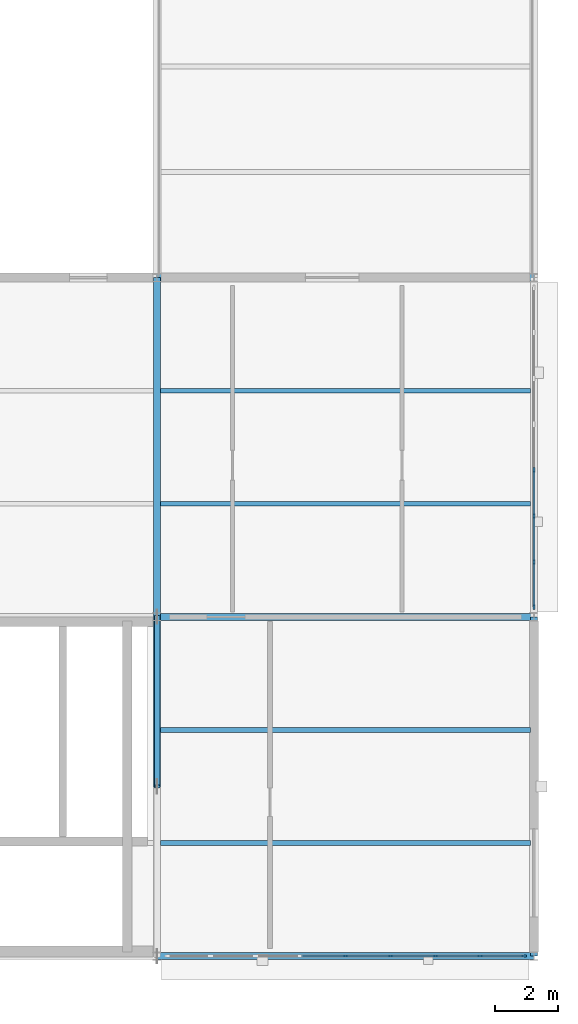
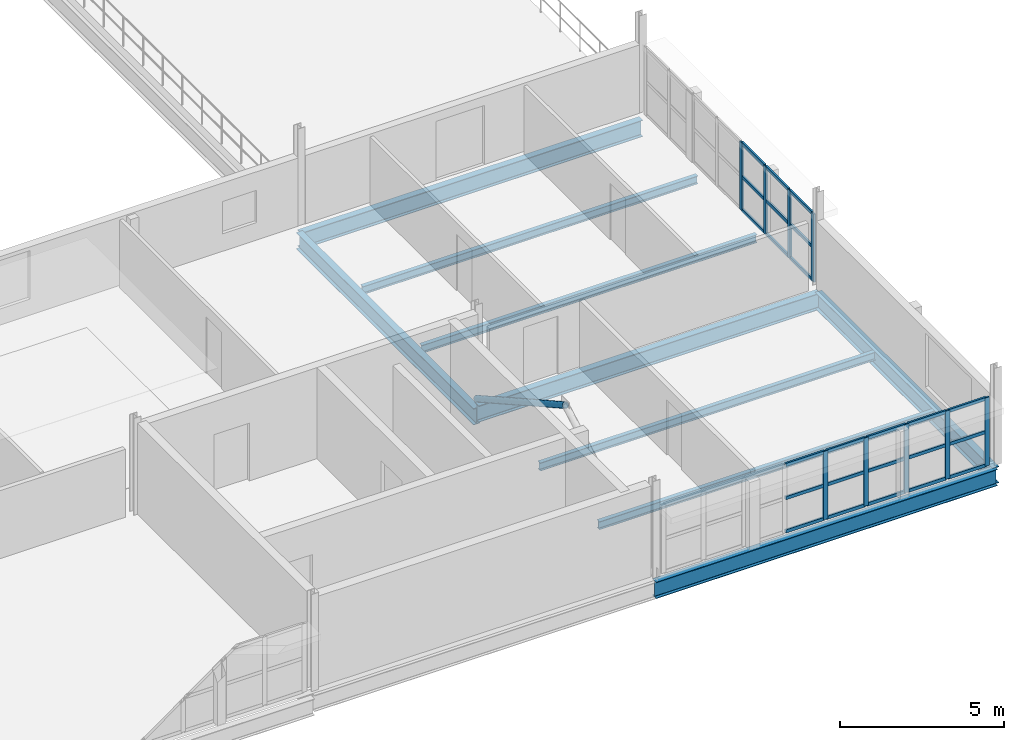
# One storey, part 32 of 62: 34 members, 9 beams, 2 elements without a shape of their own.
"""IFC4 building model written with IfcOpenShell, lengths in metres."""

import ifcopenshell
import ifcopenshell.guid

model = None  # the IFC model being written
_history = None  # IfcOwnerHistory: only IFC2X3 demands one
_inside = {}  # id of a spatial element -> (the spatial element, [elements in it])
_under = {}  # id of a project, library or spatial element -> (it, [spatial elements below it])
_declared = {}  # id of a project -> (the project, [libraries it declares])
_typed = {}  # id of a type object -> (the type object, [elements of that type])
_made_of = {}  # id of a material, layer set ... -> (it, [elements and type objects made of it])


def new_model(schema):
    """Start an empty IFC model of exactly this schema.

    Asked for "IFC4X3", IfcOpenShell would pick the latest addendum, in which some entities
    have other attributes; the version numbers below select the first issue.
    IFC2X3 requires an IfcOwnerHistory on every rooted entity: one is made here for all.
    """
    global model, _history
    if schema == "IFC4X3":
        model = ifcopenshell.file(schema_version=(4, 3, 0, 0))
    else:
        model = ifcopenshell.file(schema=schema)
    _inside.clear()
    _under.clear()
    _declared.clear()
    _typed.clear()
    _made_of.clear()
    _history = None
    if model.schema == "IFC2X3":
        org = make("IfcOrganization", Name="unknown")
        user = make(
            "IfcPersonAndOrganization",
            ThePerson=make("IfcPerson", FamilyName="unknown"),
            TheOrganization=org,
        )
        app = make(
            "IfcApplication",
            ApplicationDeveloper=org,
            Version="unknown",
            ApplicationFullName="unknown",
            ApplicationIdentifier="unknown",
        )
        _history = make(
            "IfcOwnerHistory",
            OwningUser=user,
            OwningApplication=app,
            ChangeAction="ADDED",
            CreationDate=0,
        )
    return model


def make(cls, **values):
    """One entity of the class cls with the attributes given. An attribute that is None is left unset."""
    return model.create_entity(
        cls, **{name: value for name, value in values.items() if value is not None}
    )


def rooted(cls, **values):
    """An entity with a GlobalId (a new one), such as an element, a storey or a relation."""
    return make(cls, GlobalId=ifcopenshell.guid.new(), OwnerHistory=_history, **values)


def si_unit(unit_type, name, prefix=None):
    """IfcSIUnit, for example si_unit("LENGTHUNIT", "METRE", prefix="MILLI")."""
    return make("IfcSIUnit", UnitType=unit_type, Prefix=prefix, Name=name)


def assignment(units):
    """IfcUnitAssignment: the units of a project."""
    return None if units is None else make("IfcUnitAssignment", Units=units)


def point(xyz):
    """IfcCartesianPoint."""
    return None if xyz is None else make("IfcCartesianPoint", Coordinates=xyz)


def direction(xyz):
    """IfcDirection."""
    return None if xyz is None else make("IfcDirection", DirectionRatios=xyz)


def frame(location, z_axis=None, x_axis=None):
    """IfcAxis2Placement3D, a coordinate frame: its origin and axes. An axis left out is left unset."""
    return make(
        "IfcAxis2Placement3D",
        Location=point(location),
        Axis=direction(z_axis),
        RefDirection=direction(x_axis),
    )


def frame_2d(location, x_axis=None):
    """IfcAxis2Placement2D, a coordinate frame in the plane: its origin and x axis."""
    return make(
        "IfcAxis2Placement2D", Location=point(location), RefDirection=direction(x_axis)
    )


def origin():
    """The frame at (0, 0, 0) with its axes left unset."""
    return frame((0.0, 0.0, 0.0))


def origin_2d():
    """The frame at (0, 0) in the plane with its x axis left unset."""
    return frame_2d((0.0, 0.0))


def place(relative_to, where):
    """IfcLocalPlacement: puts the frame where relative to a parent placement (None: the world)."""
    return make(
        "IfcLocalPlacement", PlacementRelTo=relative_to, RelativePlacement=where
    )


def context(
    kind, dimensions, precision=None, world=None, true_north=None, identifier=None
):
    """IfcGeometricRepresentationContext, for example the 3D "Model" context."""
    return make(
        "IfcGeometricRepresentationContext",
        ContextIdentifier=identifier,
        ContextType=kind,
        CoordinateSpaceDimension=dimensions,
        Precision=precision,
        WorldCoordinateSystem=world,
        TrueNorth=true_north,
    )


def subcontext(parent, identifier, kind, view, scale=None):
    """IfcGeometricRepresentationSubContext, for example "Body" below "Model"."""
    return make(
        "IfcGeometricRepresentationSubContext",
        ContextIdentifier=identifier,
        ContextType=kind,
        ParentContext=parent,
        TargetScale=scale,
        TargetView=view,
    )


def project(units=None, contexts=None):
    """IfcProject with its units and contexts."""
    return rooted(
        "IfcProject",
        Name="project",
        RepresentationContexts=contexts,
        UnitsInContext=assignment(units),
    )


def spatial(cls, under=None, at=None, **own):
    """A site, building, storey or space (cls), placed at a placement, below another one or the project."""
    s = rooted(cls, ObjectPlacement=at, **own)
    if under is not None:
        _under.setdefault(under.id(), (under, []))[1].append(s)
    return s


def profile(cls, at=None, kind="AREA", **sizes):
    """A parametric profile (cls). Its sizes go by their IFC names, for example OverallWidth=200.0."""
    return make(cls, ProfileType=kind, Position=at, **sizes)


def rectangle(**sizes):
    """IfcRectangleProfileDef."""
    return profile("IfcRectangleProfileDef", **sizes)


def hollow_circle(**sizes):
    """IfcCircleHollowProfileDef."""
    return profile("IfcCircleHollowProfileDef", **sizes)


def i_section(**sizes):
    """IfcIShapeProfileDef."""
    return profile("IfcIShapeProfileDef", **sizes)


def extrude(swept, where, along, depth):
    """IfcExtrudedAreaSolid: the profile swept, set in the frame where, extruded along a direction by depth."""
    return make(
        "IfcExtrudedAreaSolid",
        SweptArea=swept,
        Position=where,
        ExtrudedDirection=direction(along),
        Depth=depth,
    )


def shape(context_of_items, identifier, shape_type, items):
    """IfcShapeRepresentation: the items that make up one representation, for example the "Body"."""
    return make(
        "IfcShapeRepresentation",
        ContextOfItems=context_of_items,
        RepresentationIdentifier=identifier,
        RepresentationType=shape_type,
        Items=items,
    )


def material(Name=None, Category=None):
    """IfcMaterial."""
    return make("IfcMaterial", Name=Name, Category=Category)


def layer(
    of_material, thickness, ventilated=None, Name=None, Category=None, Priority=None
):
    """IfcMaterialLayer: one layer of a wall or slab, of a material (None: an air gap)."""
    return make(
        "IfcMaterialLayer",
        Material=of_material,
        LayerThickness=thickness,
        IsVentilated=ventilated,
        Name=Name,
        Category=Category,
        Priority=Priority,
    )


def layer_set(layers, Name=None):
    """IfcMaterialLayerSet."""
    return make("IfcMaterialLayerSet", MaterialLayers=layers, LayerSetName=Name)


def material_profile(
    of_material, cross_section, Name=None, Category=None, Priority=None
):
    """IfcMaterialProfile: a cross section and its material."""
    return make(
        "IfcMaterialProfile",
        Name=Name,
        Material=of_material,
        Profile=cross_section,
        Priority=Priority,
        Category=Category,
    )


def profile_set(profiles, Name=None, composite=None):
    """IfcMaterialProfileSet."""
    return make(
        "IfcMaterialProfileSet",
        Name=Name,
        MaterialProfiles=profiles,
        CompositeProfile=composite,
    )


def made_of(thing, what):
    """Note that an element or type object is made of a material, layer set ...; save() writes the relation."""
    if what is not None:
        _made_of.setdefault(what.id(), (what, []))[1].append(thing)
    return thing


def type_object(cls, material=None, **own):
    """A type object (cls), such as IfcWallType, which elements share."""
    return made_of(rooted(cls, **own), material)


def element(
    cls,
    number,
    at=None,
    inside=None,
    cuts=None,
    type_object=None,
    material=None,
    context=None,
    identifier="Body",
    shape_type=None,
    held_by="IfcProductDefinitionShape",
    body=None,
    shapes=None,
    **own,
):
    """One element of the class cls, such as IfcWall. Its Tag is "e" and its number.

    at: its placement. inside: the storey or other place that contains it. cuts: it is an
    opening in that element (IfcRelVoidsElement). A single representation is given by context,
    identifier, shape_type and body (its items); several are given by shapes. held_by: the class
    of the entity that holds the representations. save() writes the other relations.
    """
    e = rooted(cls, Tag="e%d" % number, ObjectPlacement=at, **own)
    if body is not None:
        shapes = [shape(context, identifier, shape_type, body)]
    if shapes is not None:
        e.Representation = make(held_by, Representations=shapes)
    if inside is not None:
        _inside.setdefault(inside.id(), (inside, []))[1].append(e)
    if cuts is not None:
        rooted(
            "IfcRelVoidsElement", RelatingBuildingElement=cuts, RelatedOpeningElement=e
        )
    if type_object is not None:
        _typed.setdefault(type_object.id(), (type_object, []))[1].append(e)
    return made_of(e, material)


def aggregate(whole, parts):
    """IfcRelAggregates: a whole, such as a stair, and the parts it consists of."""
    return rooted("IfcRelAggregates", RelatingObject=whole, RelatedObjects=parts)


def save(model, path):
    """Write the relations noted so far, then the file.

    IfcRelAggregates (storeys below a building ...), IfcRelContainedInSpatialStructure (elements
    in a storey), IfcRelDefinesByType, IfcRelAssociatesMaterial and IfcRelDeclares: one each for
    every whole, place, type object, material and project.
    """
    for whole, parts in _under.values():
        aggregate(whole, parts)
    for where, things in _inside.values():
        rooted(
            "IfcRelContainedInSpatialStructure",
            RelatedElements=things,
            RelatingStructure=where,
        )
    for kind, things in _typed.values():
        rooted("IfcRelDefinesByType", RelatedObjects=things, RelatingType=kind)
    for what, things in _made_of.values():
        rooted("IfcRelAssociatesMaterial", RelatedObjects=things, RelatingMaterial=what)
    for by, libraries in _declared.values():
        rooted("IfcRelDeclares", RelatingContext=by, RelatedDefinitions=libraries)
    model.write(path)


model = new_model("IFC4")

# Units and contexts
model_context = context("Model", 3, precision=1e-05, world=origin(), true_north=direction((0.0, 1.0)))
body_context = subcontext(model_context, "Body", "Model", "MODEL_VIEW")
ifc_project = project(units=[si_unit("LENGTHUNIT", "METRE"), si_unit("AREAUNIT", "SQUARE_METRE"), si_unit("VOLUMEUNIT", "CUBIC_METRE"), si_unit("PLANEANGLEUNIT", "RADIAN"), si_unit("MASSUNIT", "GRAM", prefix="KILO"), si_unit("THERMODYNAMICTEMPERATUREUNIT", "KELVIN"), si_unit("POWERUNIT", "WATT")], contexts=[model_context])

# Site, building, storey
site_placement = place(None, origin())
site = spatial("IfcSite", under=ifc_project, at=site_placement, CompositionType="ELEMENT")
building_placement = place(site_placement, origin())
building = spatial("IfcBuilding", under=site, at=building_placement, Name="Tembeka Court Mobility Hub", CompositionType="ELEMENT")
storey_placement = place(building_placement, frame((0.0, 0.0, 16.199951171875)))
storey = spatial("IfcBuildingStorey", under=building, at=storey_placement, Name="L04", CompositionType="ELEMENT", Elevation=16.199951171875)

# Beams
ifc_material_1 = material(Name="Steel S355", Category="steel")
ifc_material_profile_1 = material_profile(ifc_material_1, i_section(OverallWidth=0.22900390625, OverallDepth=0.612060546875, WebThickness=0.011962890625, FlangeThickness=0.01953125, FilletRadius=0.0126953125, at=origin_2d()), Name="UKB 610x229x125")
ifc_profile_set_1 = profile_set([ifc_material_profile_1], Name="Steel S355")
beam_type_1 = type_object("IfcBeamType", Name="BM-G02", PredefinedType="USERDEFINED", material=ifc_profile_set_1)
for number, where, z_axis, x_axis, name in (
    (1, (164.39990234375, 0.0, -0.495849609375), (1.0, 0.0, 0.0), (0.0, 1.0, 0.0), "Beam G02 (BM-L04-X2198)"),
    (2, (164.39990234375, 10.800048828125, -0.495849609375), (1.0, 0.0, 0.0), (0.0, 1.0, 0.0), "Beam G02 (BM-L04-X2205)"),
    (3, (164.39990234375, 21.60009765625, -0.6259765625), (1.0, 0.0, 0.0), (0.0, 1.0, 0.0), "Beam G02 (BM-L04-X2220)"),
):
    element("IfcBeam", number, at=place(storey_placement, frame(where, z_axis=z_axis, x_axis=x_axis)), inside=storey, type_object=beam_type_1, Name=name, ObjectType="GIRDER", PredefinedType="USERDEFINED", context=body_context, shape_type="SweptSolid", body=[
        extrude(i_section(OverallWidth=0.22900390625, OverallDepth=0.612060546875, WebThickness=0.011962890625, FlangeThickness=0.01953125, FilletRadius=0.0126953125, at=origin_2d()), origin(), (0.0, 0.0, 1.0), 12.0),
    ])
for number, where, z_axis, x_axis, name in (
    (4, (164.39990234375, 10.800048828125, -0.6259765625), (0.0, 1.0, 0.0), (-1.0, 0.0, 0.0), "Beam G02 (BM-L04-Y2427)"),
    (5, (176.39990234375, 0.0, -0.495849609375), (0.0, 1.0, 0.0), (-1.0, 0.0, 0.0), "Beam G02 (BM-L04-Y2432)"),
):
    element("IfcBeam", number, at=place(storey_placement, frame(where, z_axis=z_axis, x_axis=x_axis)), inside=storey, type_object=beam_type_1, Name=name, ObjectType="GIRDER", PredefinedType="USERDEFINED", context=body_context, shape_type="SweptSolid", body=[
        extrude(i_section(OverallWidth=0.22900390625, OverallDepth=0.612060546875, WebThickness=0.011962890625, FlangeThickness=0.01953125, FilletRadius=0.0126953125, at=origin_2d()), origin(), (0.0, 0.0, 1.0), 10.800048828125),
    ])
ifc_material_profile_2 = material_profile(ifc_material_1, i_section(OverallWidth=0.14990234375, OverallDepth=0.300048828125, WebThickness=0.007080078125, FlangeThickness=0.0107421875, FilletRadius=0.014892578125, at=origin_2d()), Name="IPE 300")
ifc_profile_set_2 = profile_set([ifc_material_profile_2], Name="Steel S355")
beam_type_2 = type_object("IfcBeamType", Name="BM-J04", PredefinedType="JOIST", material=ifc_profile_set_2)
for number, where, z_axis, x_axis, name in (
    (6, (164.509521484375, 3.60009765625, -0.33984375), (1.0, 0.0, 0.0), (0.0, 1.0, 0.0), "Beam J04 (JST-L04-2645)"),
    (7, (164.509521484375, 7.199951171875, -0.33984375), (1.0, 0.0, 0.0), (0.0, 1.0, 0.0), "Beam J04 (JST-L04-2646)"),
    (8, (164.509521484375, 14.39990234375, -0.33984375), (1.0, 0.0, 0.0), (0.0, 1.0, 0.0), "Beam J04 (JST-L04-2647)"),
    (9, (164.509521484375, 18.0, -0.33984375), (1.0, 0.0, 0.0), (0.0, 1.0, 0.0), "Beam J04 (JST-L04-2648)"),
):
    element("IfcBeam", number, at=place(storey_placement, frame(where, z_axis=z_axis, x_axis=x_axis)), inside=storey, type_object=beam_type_2, Name=name, PredefinedType="JOIST", context=body_context, shape_type="SweptSolid", body=[
        extrude(i_section(OverallWidth=0.14990234375, OverallDepth=0.300048828125, WebThickness=0.007080078125, FlangeThickness=0.0107421875, FilletRadius=0.014892578125, at=origin_2d()), origin(), (0.0, 0.0, 1.0), 11.781005859375),
    ])

# Curtain wall, members
ifc_material_2 = material(Name="Anodised aluminium 6063-T6", Category="aluminium")
ifc_layer_1 = layer(ifc_material_2, 0.159912109375)
ifc_layer_set_1 = layer_set([ifc_layer_1], Name="Anodised aluminium 6063-T6")
curtain_wall_type_1 = type_object("IfcCurtainWallType", Name="CW-SYS41", PredefinedType="USERDEFINED", material=ifc_layer_set_1)
curtain_wall_1_placement = place(storey_placement, origin())
curtain_wall_1 = element("IfcCurtainWall", 10, at=curtain_wall_1_placement, inside=storey, type_object=curtain_wall_type_1, Name="Unitised curtain wall CW41 (CW-L04-145)", ObjectType="UNITISED GLAZING", PredefinedType="USERDEFINED")
ifc_material_profile_3 = material_profile(ifc_material_2, rectangle(XDim=0.06494140625, YDim=0.159912109375, at=origin_2d()), Name="ALU-MUL 65x160")
ifc_profile_set_3 = profile_set([ifc_material_profile_3], Name="Anodised aluminium 6063-T6")
member_type_1 = type_object("IfcMemberType", Name="CW-MUL01", PredefinedType="MULLION", material=ifc_profile_set_3)
member_1_placement = place(storey_placement, frame((170.39990234375, 0.0, 0.0), z_axis=(0.0, 0.0, 1.0), x_axis=(0.0, 1.0, 0.0)))
member_1 = element("IfcMember", 11, at=member_1_placement, type_object=member_type_1, Name="CW41 mullion 5", PredefinedType="MULLION", context=body_context, shape_type="SweptSolid", body=[
    extrude(rectangle(XDim=0.06494140625, YDim=0.159912109375, at=origin_2d()), origin(), (0.0, 0.0, 1.0), 2.53515625),
])
member_2_placement = place(storey_placement, frame((171.830078125, 0.0, 0.0), z_axis=(0.0, 0.0, 1.0), x_axis=(0.0, 1.0, 0.0)))
member_2 = element("IfcMember", 12, at=member_2_placement, type_object=member_type_1, Name="CW41 mullion 6", PredefinedType="MULLION", context=body_context, shape_type="SweptSolid", body=[
    extrude(rectangle(XDim=0.06494140625, YDim=0.159912109375, at=origin_2d()), origin(), (0.0, 0.0, 1.0), 2.53515625),
])
member_3_placement = place(storey_placement, frame((173.260009765625, 0.0, 0.0), z_axis=(0.0, 0.0, 1.0), x_axis=(0.0, 1.0, 0.0)))
member_3 = element("IfcMember", 13, at=member_3_placement, type_object=member_type_1, Name="CW41 mullion 7", PredefinedType="MULLION", context=body_context, shape_type="SweptSolid", body=[
    extrude(rectangle(XDim=0.06494140625, YDim=0.159912109375, at=origin_2d()), origin(), (0.0, 0.0, 1.0), 2.53515625),
])
member_4_placement = place(storey_placement, frame((174.68994140625, 0.0, 0.0), z_axis=(0.0, 0.0, 1.0), x_axis=(0.0, 1.0, 0.0)))
member_4 = element("IfcMember", 14, at=member_4_placement, type_object=member_type_1, Name="CW41 mullion 8", PredefinedType="MULLION", context=body_context, shape_type="SweptSolid", body=[
    extrude(rectangle(XDim=0.06494140625, YDim=0.159912109375, at=origin_2d()), origin(), (0.0, 0.0, 1.0), 2.53515625),
])
member_5_placement = place(storey_placement, frame((176.08740234375, 0.0, 0.0), z_axis=(0.0, 0.0, 1.0), x_axis=(0.0, 1.0, 0.0)))
member_5 = element("IfcMember", 15, at=member_5_placement, type_object=member_type_1, Name="CW41 mullion 9", PredefinedType="MULLION", context=body_context, shape_type="SweptSolid", body=[
    extrude(rectangle(XDim=0.06494140625, YDim=0.159912109375, at=origin_2d()), origin(), (0.0, 0.0, 1.0), 2.53515625),
])

ifc_layer_2 = layer(ifc_material_2, 0.159912109375)
ifc_layer_set_2 = layer_set([ifc_layer_2], Name="Anodised aluminium 6063-T6")
curtain_wall_type_2 = type_object("IfcCurtainWallType", Name="CW-SYS42", PredefinedType="USERDEFINED", material=ifc_layer_set_2)
curtain_wall_2_placement = place(storey_placement, origin())
curtain_wall_2 = element("IfcCurtainWall", 16, at=curtain_wall_2_placement, inside=storey, type_object=curtain_wall_type_2, Name="Unitised curtain wall CW42 (CW-L04-146)", ObjectType="UNITISED GLAZING", PredefinedType="USERDEFINED")
member_6_placement = place(storey_placement, frame((176.39990234375, 11.112548828125, 0.0), z_axis=(0.0, 0.0, 1.0), x_axis=(-1.0, 0.0, 0.0)))
member_6 = element("IfcMember", 17, at=member_6_placement, type_object=member_type_1, Name="CW42 mullion 1", PredefinedType="MULLION", context=body_context, shape_type="SweptSolid", body=[
    extrude(rectangle(XDim=0.06494140625, YDim=0.159912109375, at=origin_2d()), origin(), (0.0, 0.0, 1.0), 2.53515625),
])
member_7_placement = place(storey_placement, frame((176.39990234375, 12.54296875, 0.0), z_axis=(0.0, 0.0, 1.0), x_axis=(-1.0, 0.0, 0.0)))
member_7 = element("IfcMember", 18, at=member_7_placement, type_object=member_type_1, Name="CW42 mullion 2", PredefinedType="MULLION", context=body_context, shape_type="SweptSolid", body=[
    extrude(rectangle(XDim=0.06494140625, YDim=0.159912109375, at=origin_2d()), origin(), (0.0, 0.0, 1.0), 2.53515625),
])
member_8_placement = place(storey_placement, frame((176.39990234375, 14.005615234375, 0.0), z_axis=(0.0, 0.0, 1.0), x_axis=(-1.0, 0.0, 0.0)))
member_8 = element("IfcMember", 19, at=member_8_placement, type_object=member_type_1, Name="CW42 mullion 3", PredefinedType="MULLION", context=body_context, shape_type="SweptSolid", body=[
    extrude(rectangle(XDim=0.06494140625, YDim=0.159912109375, at=origin_2d()), origin(), (0.0, 0.0, 1.0), 2.53515625),
])
member_9_placement = place(storey_placement, frame((176.39990234375, 15.468505859375, 0.0), z_axis=(0.0, 0.0, 1.0), x_axis=(-1.0, 0.0, 0.0)))
member_9 = element("IfcMember", 20, at=member_9_placement, type_object=member_type_1, Name="CW42 mullion 4", PredefinedType="MULLION", context=body_context, shape_type="SweptSolid", body=[
    extrude(rectangle(XDim=0.06494140625, YDim=0.159912109375, at=origin_2d()), origin(), (0.0, 0.0, 1.0), 2.53515625),
])

# Member
ifc_material_profile_4 = material_profile(ifc_material_2, rectangle(XDim=0.06494140625, YDim=0.1201171875, at=origin_2d()), Name="ALU-TRN 65x120")
ifc_profile_set_4 = profile_set([ifc_material_profile_4], Name="Anodised aluminium 6063-T6")
member_type_2 = type_object("IfcMemberType", Name="CW-TRN01", PredefinedType="USERDEFINED", material=ifc_profile_set_4)
member_10_placement = place(storey_placement, frame((169.00244140625, 0.0, 0.032470703125), z_axis=(1.0, 0.0, 0.0), x_axis=(0.0, 1.0, 0.0)))
member_10 = element("IfcMember", 21, at=member_10_placement, type_object=member_type_2, Name="CW41 transom 4.1", ObjectType="TRANSOM", PredefinedType="USERDEFINED", context=body_context, shape_type="SweptSolid", body=[
    extrude(rectangle(XDim=0.06494140625, YDim=0.1201171875, at=origin_2d()), origin(), (0.0, 0.0, 1.0), 1.364990234375),
])

member_11_placement = place(storey_placement, frame((169.00244140625, 0.0, 1.267578125), z_axis=(1.0, 0.0, 0.0), x_axis=(0.0, 1.0, 0.0)))
member_11 = element("IfcMember", 22, at=member_11_placement, type_object=member_type_2, Name="CW41 transom 4.2", ObjectType="TRANSOM", PredefinedType="USERDEFINED", context=body_context, shape_type="SweptSolid", body=[
    extrude(rectangle(XDim=0.06494140625, YDim=0.1201171875, at=origin_2d()), origin(), (0.0, 0.0, 1.0), 1.364990234375),
])

member_12_placement = place(storey_placement, frame((169.00244140625, 0.0, 2.50244140625), z_axis=(1.0, 0.0, 0.0), x_axis=(0.0, 1.0, 0.0)))
member_12 = element("IfcMember", 23, at=member_12_placement, type_object=member_type_2, Name="CW41 transom 4.3", ObjectType="TRANSOM", PredefinedType="USERDEFINED", context=body_context, shape_type="SweptSolid", body=[
    extrude(rectangle(XDim=0.06494140625, YDim=0.1201171875, at=origin_2d()), origin(), (0.0, 0.0, 1.0), 1.364990234375),
])

member_13_placement = place(storey_placement, frame((170.4326171875, 0.0, 0.032470703125), z_axis=(1.0, 0.0, 0.0), x_axis=(0.0, 1.0, 0.0)))
member_13 = element("IfcMember", 24, at=member_13_placement, type_object=member_type_2, Name="CW41 transom 5.1", ObjectType="TRANSOM", PredefinedType="USERDEFINED", context=body_context, shape_type="SweptSolid", body=[
    extrude(rectangle(XDim=0.06494140625, YDim=0.1201171875, at=origin_2d()), origin(), (0.0, 0.0, 1.0), 1.364990234375),
])

member_14_placement = place(storey_placement, frame((170.4326171875, 0.0, 1.267578125), z_axis=(1.0, 0.0, 0.0), x_axis=(0.0, 1.0, 0.0)))
member_14 = element("IfcMember", 25, at=member_14_placement, type_object=member_type_2, Name="CW41 transom 5.2", ObjectType="TRANSOM", PredefinedType="USERDEFINED", context=body_context, shape_type="SweptSolid", body=[
    extrude(rectangle(XDim=0.06494140625, YDim=0.1201171875, at=origin_2d()), origin(), (0.0, 0.0, 1.0), 1.364990234375),
])

member_15_placement = place(storey_placement, frame((170.4326171875, 0.0, 2.50244140625), z_axis=(1.0, 0.0, 0.0), x_axis=(0.0, 1.0, 0.0)))
member_15 = element("IfcMember", 26, at=member_15_placement, type_object=member_type_2, Name="CW41 transom 5.3", ObjectType="TRANSOM", PredefinedType="USERDEFINED", context=body_context, shape_type="SweptSolid", body=[
    extrude(rectangle(XDim=0.06494140625, YDim=0.1201171875, at=origin_2d()), origin(), (0.0, 0.0, 1.0), 1.364990234375),
])

member_16_placement = place(storey_placement, frame((171.862548828125, 0.0, 0.032470703125), z_axis=(1.0, 0.0, 0.0), x_axis=(0.0, 1.0, 0.0)))
member_16 = element("IfcMember", 27, at=member_16_placement, type_object=member_type_2, Name="CW41 transom 6.1", ObjectType="TRANSOM", PredefinedType="USERDEFINED", context=body_context, shape_type="SweptSolid", body=[
    extrude(rectangle(XDim=0.06494140625, YDim=0.1201171875, at=origin_2d()), origin(), (0.0, 0.0, 1.0), 1.364990234375),
])

member_17_placement = place(storey_placement, frame((171.862548828125, 0.0, 1.267578125), z_axis=(1.0, 0.0, 0.0), x_axis=(0.0, 1.0, 0.0)))
member_17 = element("IfcMember", 28, at=member_17_placement, type_object=member_type_2, Name="CW41 transom 6.2", ObjectType="TRANSOM", PredefinedType="USERDEFINED", context=body_context, shape_type="SweptSolid", body=[
    extrude(rectangle(XDim=0.06494140625, YDim=0.1201171875, at=origin_2d()), origin(), (0.0, 0.0, 1.0), 1.364990234375),
])

member_18_placement = place(storey_placement, frame((171.862548828125, 0.0, 2.50244140625), z_axis=(1.0, 0.0, 0.0), x_axis=(0.0, 1.0, 0.0)))
member_18 = element("IfcMember", 29, at=member_18_placement, type_object=member_type_2, Name="CW41 transom 6.3", ObjectType="TRANSOM", PredefinedType="USERDEFINED", context=body_context, shape_type="SweptSolid", body=[
    extrude(rectangle(XDim=0.06494140625, YDim=0.1201171875, at=origin_2d()), origin(), (0.0, 0.0, 1.0), 1.364990234375),
])

member_19_placement = place(storey_placement, frame((173.29248046875, 0.0, 0.032470703125), z_axis=(1.0, 0.0, 0.0), x_axis=(0.0, 1.0, 0.0)))
member_19 = element("IfcMember", 30, at=member_19_placement, type_object=member_type_2, Name="CW41 transom 7.1", ObjectType="TRANSOM", PredefinedType="USERDEFINED", context=body_context, shape_type="SweptSolid", body=[
    extrude(rectangle(XDim=0.06494140625, YDim=0.1201171875, at=origin_2d()), origin(), (0.0, 0.0, 1.0), 1.364990234375),
])

member_20_placement = place(storey_placement, frame((173.29248046875, 0.0, 1.267578125), z_axis=(1.0, 0.0, 0.0), x_axis=(0.0, 1.0, 0.0)))
member_20 = element("IfcMember", 31, at=member_20_placement, type_object=member_type_2, Name="CW41 transom 7.2", ObjectType="TRANSOM", PredefinedType="USERDEFINED", context=body_context, shape_type="SweptSolid", body=[
    extrude(rectangle(XDim=0.06494140625, YDim=0.1201171875, at=origin_2d()), origin(), (0.0, 0.0, 1.0), 1.364990234375),
])

member_21_placement = place(storey_placement, frame((173.29248046875, 0.0, 2.50244140625), z_axis=(1.0, 0.0, 0.0), x_axis=(0.0, 1.0, 0.0)))
member_21 = element("IfcMember", 32, at=member_21_placement, type_object=member_type_2, Name="CW41 transom 7.3", ObjectType="TRANSOM", PredefinedType="USERDEFINED", context=body_context, shape_type="SweptSolid", body=[
    extrude(rectangle(XDim=0.06494140625, YDim=0.1201171875, at=origin_2d()), origin(), (0.0, 0.0, 1.0), 1.364990234375),
])

member_22_placement = place(storey_placement, frame((174.722412109375, 0.0, 0.032470703125), z_axis=(1.0, 0.0, 0.0), x_axis=(0.0, 1.0, 0.0)))
member_22 = element("IfcMember", 33, at=member_22_placement, type_object=member_type_2, Name="CW41 transom 8.1", ObjectType="TRANSOM", PredefinedType="USERDEFINED", context=body_context, shape_type="SweptSolid", body=[
    extrude(rectangle(XDim=0.06494140625, YDim=0.1201171875, at=origin_2d()), origin(), (0.0, 0.0, 1.0), 1.33251953125),
])

member_23_placement = place(storey_placement, frame((174.722412109375, 0.0, 1.267578125), z_axis=(1.0, 0.0, 0.0), x_axis=(0.0, 1.0, 0.0)))
member_23 = element("IfcMember", 34, at=member_23_placement, type_object=member_type_2, Name="CW41 transom 8.2", ObjectType="TRANSOM", PredefinedType="USERDEFINED", context=body_context, shape_type="SweptSolid", body=[
    extrude(rectangle(XDim=0.06494140625, YDim=0.1201171875, at=origin_2d()), origin(), (0.0, 0.0, 1.0), 1.33251953125),
])

member_24_placement = place(storey_placement, frame((174.722412109375, 0.0, 2.50244140625), z_axis=(1.0, 0.0, 0.0), x_axis=(0.0, 1.0, 0.0)))
member_24 = element("IfcMember", 35, at=member_24_placement, type_object=member_type_2, Name="CW41 transom 8.3", ObjectType="TRANSOM", PredefinedType="USERDEFINED", context=body_context, shape_type="SweptSolid", body=[
    extrude(rectangle(XDim=0.06494140625, YDim=0.1201171875, at=origin_2d()), origin(), (0.0, 0.0, 1.0), 1.33251953125),
])

aggregate(curtain_wall_1, [member_1, member_2, member_3, member_4, member_5, member_10, member_11, member_12, member_13, member_14, member_15, member_16, member_17, member_18, member_19, member_20, member_21, member_22, member_23, member_24])

member_25_placement = place(storey_placement, frame((176.39990234375, 11.14501953125, 0.032470703125), z_axis=(0.0, 1.0, 0.0), x_axis=(-1.0, 0.0, 0.0)))
member_25 = element("IfcMember", 36, at=member_25_placement, type_object=member_type_2, Name="CW42 transom 1.1", ObjectType="TRANSOM", PredefinedType="USERDEFINED", context=body_context, shape_type="SweptSolid", body=[
    extrude(rectangle(XDim=0.06494140625, YDim=0.1201171875, at=origin_2d()), origin(), (0.0, 0.0, 1.0), 1.365234375),
])

member_26_placement = place(storey_placement, frame((176.39990234375, 11.14501953125, 1.267578125), z_axis=(0.0, 1.0, 0.0), x_axis=(-1.0, 0.0, 0.0)))
member_26 = element("IfcMember", 37, at=member_26_placement, type_object=member_type_2, Name="CW42 transom 1.2", ObjectType="TRANSOM", PredefinedType="USERDEFINED", context=body_context, shape_type="SweptSolid", body=[
    extrude(rectangle(XDim=0.06494140625, YDim=0.1201171875, at=origin_2d()), origin(), (0.0, 0.0, 1.0), 1.365234375),
])

member_27_placement = place(storey_placement, frame((176.39990234375, 11.14501953125, 2.50244140625), z_axis=(0.0, 1.0, 0.0), x_axis=(-1.0, 0.0, 0.0)))
member_27 = element("IfcMember", 38, at=member_27_placement, type_object=member_type_2, Name="CW42 transom 1.3", ObjectType="TRANSOM", PredefinedType="USERDEFINED", context=body_context, shape_type="SweptSolid", body=[
    extrude(rectangle(XDim=0.06494140625, YDim=0.1201171875, at=origin_2d()), origin(), (0.0, 0.0, 1.0), 1.365234375),
])

member_28_placement = place(storey_placement, frame((176.39990234375, 12.575439453125, 0.032470703125), z_axis=(0.0, 1.0, 0.0), x_axis=(-1.0, 0.0, 0.0)))
member_28 = element("IfcMember", 39, at=member_28_placement, type_object=member_type_2, Name="CW42 transom 2.1", ObjectType="TRANSOM", PredefinedType="USERDEFINED", context=body_context, shape_type="SweptSolid", body=[
    extrude(rectangle(XDim=0.06494140625, YDim=0.1201171875, at=origin_2d()), origin(), (0.0, 0.0, 1.0), 1.397705078125),
])

member_29_placement = place(storey_placement, frame((176.39990234375, 12.575439453125, 1.267578125), z_axis=(0.0, 1.0, 0.0), x_axis=(-1.0, 0.0, 0.0)))
member_29 = element("IfcMember", 40, at=member_29_placement, type_object=member_type_2, Name="CW42 transom 2.2", ObjectType="TRANSOM", PredefinedType="USERDEFINED", context=body_context, shape_type="SweptSolid", body=[
    extrude(rectangle(XDim=0.06494140625, YDim=0.1201171875, at=origin_2d()), origin(), (0.0, 0.0, 1.0), 1.397705078125),
])

member_30_placement = place(storey_placement, frame((176.39990234375, 12.575439453125, 2.50244140625), z_axis=(0.0, 1.0, 0.0), x_axis=(-1.0, 0.0, 0.0)))
member_30 = element("IfcMember", 41, at=member_30_placement, type_object=member_type_2, Name="CW42 transom 2.3", ObjectType="TRANSOM", PredefinedType="USERDEFINED", context=body_context, shape_type="SweptSolid", body=[
    extrude(rectangle(XDim=0.06494140625, YDim=0.1201171875, at=origin_2d()), origin(), (0.0, 0.0, 1.0), 1.397705078125),
])

member_31_placement = place(storey_placement, frame((176.39990234375, 14.038330078125, 0.032470703125), z_axis=(0.0, 1.0, 0.0), x_axis=(-1.0, 0.0, 0.0)))
member_31 = element("IfcMember", 42, at=member_31_placement, type_object=member_type_2, Name="CW42 transom 3.1", ObjectType="TRANSOM", PredefinedType="USERDEFINED", context=body_context, shape_type="SweptSolid", body=[
    extrude(rectangle(XDim=0.06494140625, YDim=0.1201171875, at=origin_2d()), origin(), (0.0, 0.0, 1.0), 1.397705078125),
])

member_32_placement = place(storey_placement, frame((176.39990234375, 14.038330078125, 1.267578125), z_axis=(0.0, 1.0, 0.0), x_axis=(-1.0, 0.0, 0.0)))
member_32 = element("IfcMember", 43, at=member_32_placement, type_object=member_type_2, Name="CW42 transom 3.2", ObjectType="TRANSOM", PredefinedType="USERDEFINED", context=body_context, shape_type="SweptSolid", body=[
    extrude(rectangle(XDim=0.06494140625, YDim=0.1201171875, at=origin_2d()), origin(), (0.0, 0.0, 1.0), 1.397705078125),
])

member_33_placement = place(storey_placement, frame((176.39990234375, 14.038330078125, 2.50244140625), z_axis=(0.0, 1.0, 0.0), x_axis=(-1.0, 0.0, 0.0)))
member_33 = element("IfcMember", 44, at=member_33_placement, type_object=member_type_2, Name="CW42 transom 3.3", ObjectType="TRANSOM", PredefinedType="USERDEFINED", context=body_context, shape_type="SweptSolid", body=[
    extrude(rectangle(XDim=0.06494140625, YDim=0.1201171875, at=origin_2d()), origin(), (0.0, 0.0, 1.0), 1.397705078125),
])

aggregate(curtain_wall_2, [member_6, member_7, member_8, member_9, member_25, member_26, member_27, member_28, member_29, member_30, member_31, member_32, member_33])

ifc_material_profile_5 = material_profile(ifc_material_1, hollow_circle(Radius=0.109619140625, WallThickness=0.010009765625, at=origin_2d()), Name="CHS 219.1x10")
ifc_profile_set_5 = profile_set([ifc_material_profile_5], Name="Steel S355")
member_type_3 = type_object("IfcMemberType", Name="MEM-BR01", PredefinedType="BRACE", material=ifc_profile_set_5)
member_34_placement = place(storey_placement, frame((164.39990234375, 10.800048828125, 0.02001953125), z_axis=(0.0, -0.872096259375, 0.489334358475), x_axis=(1.0, 0.0, 0.0)))
element("IfcMember", 45, at=member_34_placement, inside=storey, type_object=member_type_3, Name="Steel chevron brace BR01 (L04-18B)", PredefinedType="BRACE", context=body_context, shape_type="SweptSolid", body=[
    extrude(hollow_circle(Radius=0.109619140625, WallThickness=0.010009765625, at=origin_2d()), origin(), (0.0, 0.0, 1.0), 6.192138671875),
])

save(model, "model.ifc")
